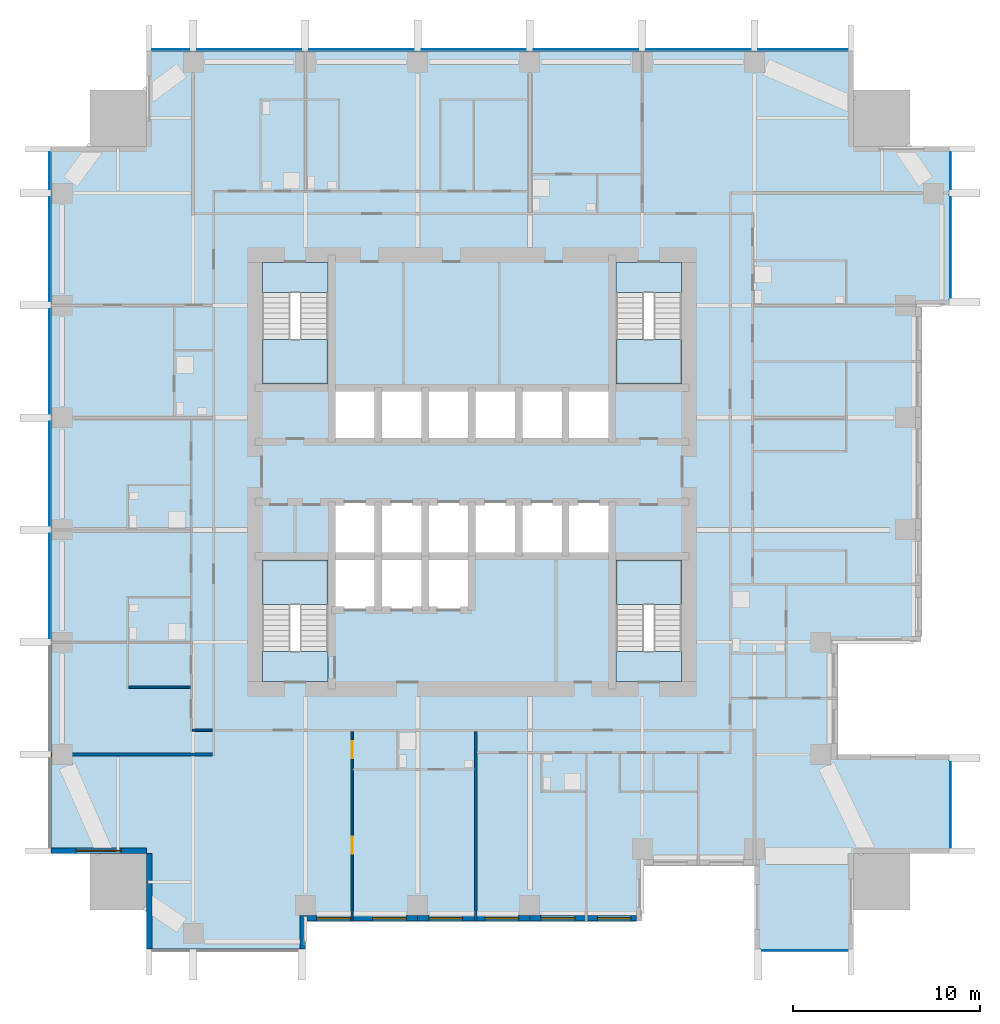
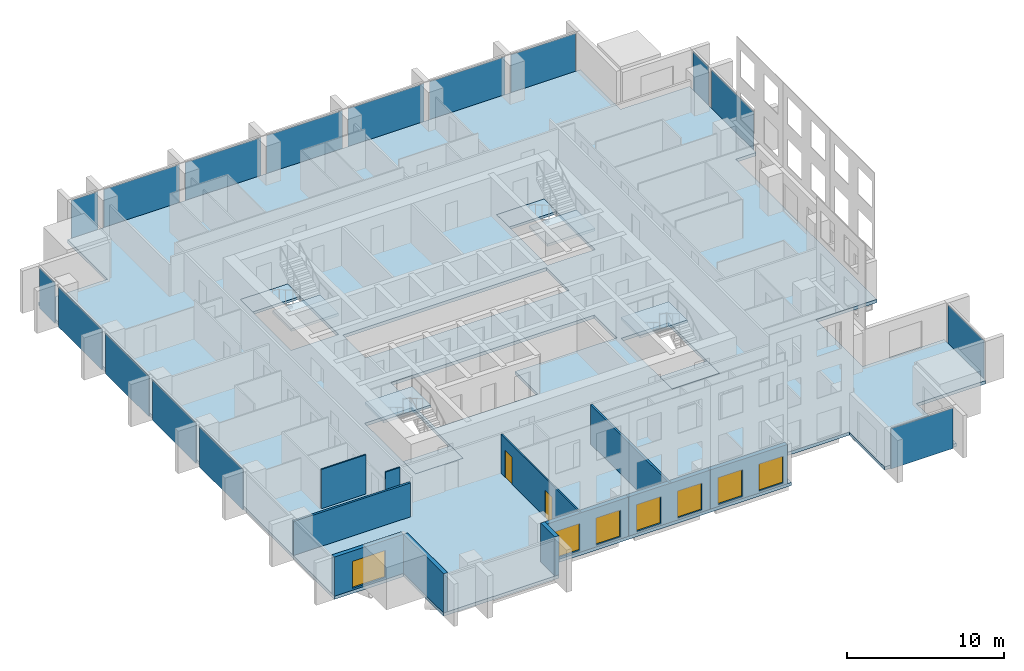
# One storey, part 3 of 13: 16 plates, 11 walls, 9 slabs, 7 windows, 2 doors, 9 openings, 9 elements without a shape of their own.
"""IFC4 building model written with IfcOpenShell, lengths in metres."""

from ifc_helpers import new_model, si_unit, direction, frame, frame_2d, origin, origin_2d, place, context, subcontext, project, spatial, polyline, rectangle, outline, extrude, material, layer, layer_set, type_object, element, fill, aggregate, save


model = new_model("IFC4")

# Units and contexts
model_context = context("Model", 3, precision=1e-05, world=origin(), true_north=direction((0.0, 1.0)))
body_context = subcontext(model_context, "Body", "Model", "MODEL_VIEW")
ifc_project = project(units=[si_unit("LENGTHUNIT", "METRE"), si_unit("AREAUNIT", "SQUARE_METRE"), si_unit("VOLUMEUNIT", "CUBIC_METRE"), si_unit("PLANEANGLEUNIT", "RADIAN"), si_unit("MASSUNIT", "GRAM", prefix="KILO")], contexts=[model_context])

# Site, building, storey
site_placement = place(None, origin())
site = spatial("IfcSite", under=ifc_project, at=site_placement, CompositionType="ELEMENT")
building_placement = place(site_placement, origin())
building = spatial("IfcBuilding", under=site, at=building_placement, Name="Amberfall Residences", CompositionType="ELEMENT")
storey_placement = place(building_placement, frame((0.0, 0.0, 78.699951171875)))
storey = spatial("IfcBuildingStorey", under=building, at=storey_placement, Name="L20", CompositionType="ELEMENT", Elevation=78.699951171875)

# Curtain wall, plate
ifc_material_1 = material(Name="Bronze anodised aluminium and glass", Category="aluminium")
curtain_wall_type = type_object("IfcCurtainWallType", Name="Curtain wall CW1 tower unit", PredefinedType="USERDEFINED", material=ifc_material_1)
curtain_wall_1_placement = place(storey_placement, origin())
curtain_wall_1 = element("IfcCurtainWall", 1, at=curtain_wall_1_placement, inside=storey, type_object=curtain_wall_type, Name="Curtain wall L20 S S9", ObjectType="UNITISED CURTAIN WALL", PredefinedType="USERDEFINED")
ifc_material_2 = material(Name="Tinted double glazed unit", Category="glass")
ifc_layer_1 = layer(ifc_material_2, 0.035888671875)
ifc_layer_set_1 = layer_set([ifc_layer_1], Name="CW1 panel 36 glazing")
plate_type = type_object("IfcPlateType", Name="CW1 panel 36 glazing", PredefinedType="CURTAIN_PANEL", material=ifc_layer_set_1)
plate_1_placement = place(storey_placement, frame((92.300048828125, 19.925048828125, -0.25), z_axis=(0.0, 0.0, 1.0), x_axis=(1.0, 0.0, 0.0)))
plate_1 = element("IfcPlate", 2, at=plate_1_placement, type_object=plate_type, Name="CW1 panel 1.1", PredefinedType="CURTAIN_PANEL", context=body_context, shape_type="SweptSolid", body=[
    extrude(rectangle(XDim=4.575927734375, YDim=0.035888671875, at=origin_2d()), origin(), (0.0, 0.0, 1.0), 3.14990234375),
])
aggregate(curtain_wall_1, [plate_1])

curtain_wall_2_placement = place(storey_placement, origin())
curtain_wall_2 = element("IfcCurtainWall", 3, at=curtain_wall_2_placement, inside=storey, type_object=curtain_wall_type, Name="Curtain wall L20 E E1", ObjectType="UNITISED CURTAIN WALL", PredefinedType="USERDEFINED")
plate_2_placement = place(storey_placement, frame((100.074951171875, 27.699951171875, -0.25), z_axis=(0.0, 0.0, 1.0), x_axis=(0.0, 1.0, 0.0)))
plate_2 = element("IfcPlate", 4, at=plate_2_placement, type_object=plate_type, Name="CW1 panel 1.1", PredefinedType="CURTAIN_PANEL", context=body_context, shape_type="SweptSolid", body=[
    extrude(rectangle(XDim=4.575927734375, YDim=0.035888671875, at=origin_2d()), origin(), (0.0, 0.0, 1.0), 3.14990234375),
])
aggregate(curtain_wall_2, [plate_2])

# Curtain wall, plates
curtain_wall_3_placement = place(storey_placement, origin())
curtain_wall_3 = element("IfcCurtainWall", 5, at=curtain_wall_3_placement, inside=storey, type_object=curtain_wall_type, Name="Curtain wall L20 E E9", ObjectType="UNITISED CURTAIN WALL", PredefinedType="USERDEFINED")
plate_3_placement = place(storey_placement, frame((100.074951171875, 57.5, -0.25), z_axis=(0.0, 0.0, 1.0), x_axis=(0.0, 1.0, 0.0)))
plate_3 = element("IfcPlate", 6, at=plate_3_placement, type_object=plate_type, Name="CW1 panel 1.1", PredefinedType="CURTAIN_PANEL", context=body_context, shape_type="SweptSolid", body=[
    extrude(rectangle(XDim=5.3759765625, YDim=0.035888671875, at=origin_2d()), origin(), (0.0, 0.0, 1.0), 3.14990234375),
])
plate_4_placement = place(storey_placement, frame((100.074951171875, 61.60009765625, -0.25), z_axis=(0.0, 0.0, 1.0), x_axis=(0.0, 1.0, 0.0)))
plate_4 = element("IfcPlate", 7, at=plate_4_placement, type_object=plate_type, Name="CW1 panel 2.1", PredefinedType="CURTAIN_PANEL", context=body_context, shape_type="SweptSolid", body=[
    extrude(rectangle(XDim=1.97607421875, YDim=0.035888671875, at=origin_2d()), origin(), (0.0, 0.0, 1.0), 3.14990234375),
])
aggregate(curtain_wall_3, [plate_3, plate_4])

curtain_wall_4_placement = place(storey_placement, origin())
curtain_wall_4 = element("IfcCurtainWall", 8, at=curtain_wall_4_placement, inside=storey, type_object=curtain_wall_type, Name="Curtain wall L20 N N1", ObjectType="UNITISED CURTAIN WALL", PredefinedType="USERDEFINED")
plate_5_placement = place(storey_placement, frame((92.199951171875, 68.074951171875, -0.25), z_axis=(0.0, 0.0, 1.0), x_axis=(-1.0, 0.0, 0.0)))
plate_5 = element("IfcPlate", 9, at=plate_5_placement, type_object=plate_type, Name="CW1 panel 1.1", PredefinedType="CURTAIN_PANEL", context=body_context, shape_type="SweptSolid", body=[
    extrude(rectangle(XDim=4.77587890625, YDim=0.035888671875, at=origin_2d()), origin(), (0.0, 0.0, 1.0), 3.14990234375),
])
plate_6_placement = place(storey_placement, frame((86.60009765625, 68.074951171875, -0.25), z_axis=(0.0, 0.0, 1.0), x_axis=(-1.0, 0.0, 0.0)))
plate_6 = element("IfcPlate", 10, at=plate_6_placement, type_object=plate_type, Name="CW1 panel 2.1", PredefinedType="CURTAIN_PANEL", context=body_context, shape_type="SweptSolid", body=[
    extrude(rectangle(XDim=5.575927734375, YDim=0.035888671875, at=origin_2d()), origin(), (0.0, 0.0, 1.0), 3.14990234375),
])
plate_7_placement = place(storey_placement, frame((80.60009765625, 68.074951171875, -0.25), z_axis=(0.0, 0.0, 1.0), x_axis=(-1.0, 0.0, 0.0)))
plate_7 = element("IfcPlate", 11, at=plate_7_placement, type_object=plate_type, Name="CW1 panel 3.1", PredefinedType="CURTAIN_PANEL", context=body_context, shape_type="SweptSolid", body=[
    extrude(rectangle(XDim=5.575927734375, YDim=0.035888671875, at=origin_2d()), origin(), (0.0, 0.0, 1.0), 3.14990234375),
])
plate_8_placement = place(storey_placement, frame((74.60009765625, 68.074951171875, -0.25), z_axis=(0.0, 0.0, 1.0), x_axis=(-1.0, 0.0, 0.0)))
plate_8 = element("IfcPlate", 12, at=plate_8_placement, type_object=plate_type, Name="CW1 panel 4.1", PredefinedType="CURTAIN_PANEL", context=body_context, shape_type="SweptSolid", body=[
    extrude(rectangle(XDim=5.575927734375, YDim=0.035888671875, at=origin_2d()), origin(), (0.0, 0.0, 1.0), 3.14990234375),
])
plate_9_placement = place(storey_placement, frame((68.60009765625, 68.074951171875, -0.25), z_axis=(0.0, 0.0, 1.0), x_axis=(-1.0, 0.0, 0.0)))
plate_9 = element("IfcPlate", 13, at=plate_9_placement, type_object=plate_type, Name="CW1 panel 5.1", PredefinedType="CURTAIN_PANEL", context=body_context, shape_type="SweptSolid", body=[
    extrude(rectangle(XDim=5.575927734375, YDim=0.035888671875, at=origin_2d()), origin(), (0.0, 0.0, 1.0), 3.14990234375),
])
plate_10_placement = place(storey_placement, frame((62.60009765625, 68.074951171875, -0.25), z_axis=(0.0, 0.0, 1.0), x_axis=(-1.0, 0.0, 0.0)))
plate_10 = element("IfcPlate", 14, at=plate_10_placement, type_object=plate_type, Name="CW1 panel 6.1", PredefinedType="CURTAIN_PANEL", context=body_context, shape_type="SweptSolid", body=[
    extrude(rectangle(XDim=5.575927734375, YDim=0.035888671875, at=origin_2d()), origin(), (0.0, 0.0, 1.0), 3.14990234375),
])
plate_11_placement = place(storey_placement, frame((58.39990234375, 68.074951171875, -0.25), z_axis=(0.0, 0.0, 1.0), x_axis=(-1.0, 0.0, 0.0)))
plate_11 = element("IfcPlate", 15, at=plate_11_placement, type_object=plate_type, Name="CW1 panel 7.1", PredefinedType="CURTAIN_PANEL", context=body_context, shape_type="SweptSolid", body=[
    extrude(rectangle(XDim=1.97607421875, YDim=0.035888671875, at=origin_2d()), origin(), (0.0, 0.0, 1.0), 3.14990234375),
])
aggregate(curtain_wall_4, [plate_5, plate_6, plate_7, plate_8, plate_9, plate_10, plate_11])

curtain_wall_5_placement = place(storey_placement, origin())
curtain_wall_5 = element("IfcCurtainWall", 16, at=curtain_wall_5_placement, inside=storey, type_object=curtain_wall_type, Name="Curtain wall L20 W W1", ObjectType="UNITISED CURTAIN WALL", PredefinedType="USERDEFINED")
plate_12_placement = place(storey_placement, frame((51.925048828125, 61.60009765625, -0.25), z_axis=(0.0, 0.0, 1.0), x_axis=(0.0, -1.0, 0.0)))
plate_12 = element("IfcPlate", 17, at=plate_12_placement, type_object=plate_type, Name="CW1 panel 1.1", PredefinedType="CURTAIN_PANEL", context=body_context, shape_type="SweptSolid", body=[
    extrude(rectangle(XDim=1.97607421875, YDim=0.035888671875, at=origin_2d()), origin(), (0.0, 0.0, 1.0), 3.14990234375),
])
plate_13_placement = place(storey_placement, frame((51.925048828125, 57.39990234375, -0.25), z_axis=(0.0, 0.0, 1.0), x_axis=(0.0, -1.0, 0.0)))
plate_13 = element("IfcPlate", 18, at=plate_13_placement, type_object=plate_type, Name="CW1 panel 2.1", PredefinedType="CURTAIN_PANEL", context=body_context, shape_type="SweptSolid", body=[
    extrude(rectangle(XDim=5.575927734375, YDim=0.035888671875, at=origin_2d()), origin(), (0.0, 0.0, 1.0), 3.14990234375),
])
plate_14_placement = place(storey_placement, frame((51.925048828125, 51.39990234375, -0.25), z_axis=(0.0, 0.0, 1.0), x_axis=(0.0, -1.0, 0.0)))
plate_14 = element("IfcPlate", 19, at=plate_14_placement, type_object=plate_type, Name="CW1 panel 3.1", PredefinedType="CURTAIN_PANEL", context=body_context, shape_type="SweptSolid", body=[
    extrude(rectangle(XDim=5.575927734375, YDim=0.035888671875, at=origin_2d()), origin(), (0.0, 0.0, 1.0), 3.14990234375),
])
plate_15_placement = place(storey_placement, frame((51.925048828125, 45.39990234375, -0.25), z_axis=(0.0, 0.0, 1.0), x_axis=(0.0, -1.0, 0.0)))
plate_15 = element("IfcPlate", 20, at=plate_15_placement, type_object=plate_type, Name="CW1 panel 4.1", PredefinedType="CURTAIN_PANEL", context=body_context, shape_type="SweptSolid", body=[
    extrude(rectangle(XDim=5.575927734375, YDim=0.035888671875, at=origin_2d()), origin(), (0.0, 0.0, 1.0), 3.14990234375),
])
plate_16_placement = place(storey_placement, frame((51.925048828125, 39.39990234375, -0.25), z_axis=(0.0, 0.0, 1.0), x_axis=(0.0, -1.0, 0.0)))
plate_16 = element("IfcPlate", 21, at=plate_16_placement, type_object=plate_type, Name="CW1 panel 5.1", PredefinedType="CURTAIN_PANEL", context=body_context, shape_type="SweptSolid", body=[
    extrude(rectangle(XDim=5.575927734375, YDim=0.035888671875, at=origin_2d()), origin(), (0.0, 0.0, 1.0), 3.14990234375),
])
aggregate(curtain_wall_5, [plate_12, plate_13, plate_14, plate_15, plate_16])

# Slab
ifc_material_3 = material(Name="Concrete C70", Category="concrete")
ifc_layer_2 = layer(ifc_material_3, 0.25)
ifc_layer_set_2 = layer_set([ifc_layer_2], Name="Floor slab 250 C70")
slab_type_1 = type_object("IfcSlabType", Name="Floor slab 250 C70", PredefinedType="FLOOR", material=ifc_layer_set_2)
slab_1_placement = place(storey_placement, frame((0.0, 0.0, -0.25)))
element("IfcSlab", 22, at=slab_1_placement, inside=storey, type_object=slab_type_1, Name="Floor slab S7 L20", PredefinedType="FLOOR", context=body_context, shape_type="SweptSolid", body=[
    extrude(outline(polyline([(89.60009765625, 20.0), (89.60009765625, 24.5), (83.60009765625, 24.5), (83.60009765625, 21.5), (77.60009765625, 21.5), (71.60009765625, 21.5), (65.60009765625, 21.5), (65.60009765625, 20.0), (57.10009765625, 20.0), (57.10009765625, 25.10009765625), (52.0, 25.10009765625), (52.0, 62.89990234375), (57.10009765625, 62.89990234375), (57.10009765625, 68.0), (94.89990234375, 68.0), (94.89990234375, 62.89990234375), (100.0, 62.89990234375), (100.0, 54.39990234375), (98.5, 54.39990234375), (98.5, 48.39990234375), (98.5, 42.39990234375), (98.5, 36.39990234375), (94.0, 36.39990234375), (94.0, 30.39990234375), (100.0, 30.39990234375), (100.0, 25.10009765625), (94.89990234375, 25.10009765625), (94.89990234375, 20.0), (89.60009765625, 20.0)]), holes=[polyline([(85.699951171875, 34.300048828125), (85.699951171875, 40.800048828125), (82.199951171875, 40.800048828125), (82.199951171875, 34.300048828125), (85.699951171875, 34.300048828125)]), polyline([(82.199951171875, 50.199951171875), (85.699951171875, 50.199951171875), (85.699951171875, 56.699951171875), (82.199951171875, 56.699951171875), (82.199951171875, 50.199951171875)]), polyline([(69.5, 50.0), (67.0, 50.0), (67.0, 47.10009765625), (69.5, 47.10009765625), (72.0, 47.10009765625), (74.5, 47.10009765625), (77.0, 47.10009765625), (79.5, 47.10009765625), (82.0, 47.10009765625), (82.0, 50.0), (79.5, 50.0), (77.0, 50.0), (74.5, 50.0), (72.0, 50.0), (69.5, 50.0)]), polyline([(74.5, 41.0), (77.0, 41.0), (79.5, 41.0), (82.0, 41.0), (82.0, 43.89990234375), (79.5, 43.89990234375), (77.0, 43.89990234375), (74.5, 43.89990234375), (72.0, 43.89990234375), (69.5, 43.89990234375), (67.0, 43.89990234375), (67.0, 41.0), (67.0, 38.10009765625), (69.5, 38.10009765625), (72.0, 38.10009765625), (74.5, 38.10009765625), (74.5, 41.0)]), polyline([(66.800048828125, 34.300048828125), (66.800048828125, 40.800048828125), (63.300048828125, 40.800048828125), (63.300048828125, 34.300048828125), (66.800048828125, 34.300048828125)]), polyline([(66.800048828125, 50.199951171875), (66.800048828125, 56.699951171875), (63.300048828125, 56.699951171875), (63.300048828125, 50.199951171875), (66.800048828125, 50.199951171875)])]), origin(), (0.0, 0.0, 1.0), 0.25),
])

# Stair, slabs
ifc_material_4 = material(Name="Concrete C40", Category="concrete")
stair_type = type_object("IfcStairType", Name="Exit stair 20 risers 165.0 mm", PredefinedType="HALF_TURN_STAIR", material=ifc_material_4)
stair_1_placement = place(storey_placement, origin())
stair_1 = element("IfcStair", 23, at=stair_1_placement, inside=storey, type_object=stair_type, Name="L20 Exit stair 1", PredefinedType="HALF_TURN_STAIR")
ifc_layer_3 = layer(ifc_material_4, 0.199951171875)
ifc_layer_set_3 = layer_set([ifc_layer_3], Name="Stair landing 200")
slab_type_2 = type_object("IfcSlabType", Name="Stair landing 200", PredefinedType="LANDING", material=ifc_layer_set_3)
slab_2_placement = place(storey_placement, frame((0.0, 0.0, 1.449951171875)))
slab_2 = element("IfcSlab", 24, at=slab_2_placement, type_object=slab_type_2, Name="ST3 landing 1", PredefinedType="LANDING", context=body_context, shape_type="SweptSolid", body=[
    extrude(outline(polyline([(66.800048828125, 38.419921875), (66.800048828125, 40.800048828125), (63.300048828125, 40.800048828125), (63.300048828125, 38.419921875), (66.800048828125, 38.419921875)])), origin(), (0.0, 0.0, 1.0), 0.2001953125),
])
slab_3_placement = place(storey_placement, frame((0.0, 0.0, -0.199951171875)))
slab_3 = element("IfcSlab", 25, at=slab_3_placement, type_object=slab_type_2, Name="ST3 landing 2", PredefinedType="LANDING", context=body_context, shape_type="SweptSolid", body=[
    extrude(outline(polyline([(66.800048828125, 34.300048828125), (66.800048828125, 35.89990234375), (63.300048828125, 35.89990234375), (63.300048828125, 34.300048828125), (66.800048828125, 34.300048828125)])), origin(), (0.0, 0.0, 1.0), 0.199951171875),
])
aggregate(stair_1, [slab_2, slab_3])

stair_2_placement = place(storey_placement, origin())
stair_2 = element("IfcStair", 26, at=stair_2_placement, inside=storey, type_object=stair_type, Name="L20 Exit stair 2", PredefinedType="HALF_TURN_STAIR")
slab_4_placement = place(storey_placement, frame((0.0, 0.0, 1.449951171875)))
slab_4 = element("IfcSlab", 27, at=slab_4_placement, type_object=slab_type_2, Name="ST3 landing 1", PredefinedType="LANDING", context=body_context, shape_type="SweptSolid", body=[
    extrude(outline(polyline([(85.699951171875, 38.419921875), (85.699951171875, 40.800048828125), (82.199951171875, 40.800048828125), (82.199951171875, 38.419921875), (85.699951171875, 38.419921875)])), origin(), (0.0, 0.0, 1.0), 0.2001953125),
])
slab_5_placement = place(storey_placement, frame((0.0, 0.0, -0.199951171875)))
slab_5 = element("IfcSlab", 28, at=slab_5_placement, type_object=slab_type_2, Name="ST3 landing 2", PredefinedType="LANDING", context=body_context, shape_type="SweptSolid", body=[
    extrude(outline(polyline([(85.699951171875, 34.300048828125), (85.699951171875, 35.89990234375), (82.199951171875, 35.89990234375), (82.199951171875, 34.300048828125), (85.699951171875, 34.300048828125)])), origin(), (0.0, 0.0, 1.0), 0.199951171875),
])
aggregate(stair_2, [slab_4, slab_5])

stair_3_placement = place(storey_placement, origin())
stair_3 = element("IfcStair", 29, at=stair_3_placement, inside=storey, type_object=stair_type, Name="L20 Exit stair 3", PredefinedType="HALF_TURN_STAIR")
slab_6_placement = place(storey_placement, frame((0.0, 0.0, 1.449951171875)))
slab_6 = element("IfcSlab", 30, at=slab_6_placement, type_object=slab_type_2, Name="ST3 landing 1", PredefinedType="LANDING", context=body_context, shape_type="SweptSolid", body=[
    extrude(outline(polyline([(82.199951171875, 52.580078125), (82.199951171875, 50.199951171875), (85.699951171875, 50.199951171875), (85.699951171875, 52.580078125), (82.199951171875, 52.580078125)])), origin(), (0.0, 0.0, 1.0), 0.2001953125),
])
slab_7_placement = place(storey_placement, frame((0.0, 0.0, -0.199951171875)))
slab_7 = element("IfcSlab", 31, at=slab_7_placement, type_object=slab_type_2, Name="ST3 landing 2", PredefinedType="LANDING", context=body_context, shape_type="SweptSolid", body=[
    extrude(outline(polyline([(82.199951171875, 56.699951171875), (82.199951171875, 55.10009765625), (85.699951171875, 55.10009765625), (85.699951171875, 56.699951171875), (82.199951171875, 56.699951171875)])), origin(), (0.0, 0.0, 1.0), 0.199951171875),
])
aggregate(stair_3, [slab_6, slab_7])

stair_4_placement = place(storey_placement, origin())
stair_4 = element("IfcStair", 32, at=stair_4_placement, inside=storey, type_object=stair_type, Name="L20 Exit stair 4", PredefinedType="HALF_TURN_STAIR")
slab_8_placement = place(storey_placement, frame((0.0, 0.0, 1.449951171875)))
slab_8 = element("IfcSlab", 33, at=slab_8_placement, type_object=slab_type_2, Name="ST3 landing 1", PredefinedType="LANDING", context=body_context, shape_type="SweptSolid", body=[
    extrude(outline(polyline([(63.300048828125, 52.580078125), (63.300048828125, 50.199951171875), (66.800048828125, 50.199951171875), (66.800048828125, 52.580078125), (63.300048828125, 52.580078125)])), origin(), (0.0, 0.0, 1.0), 0.2001953125),
])
slab_9_placement = place(storey_placement, frame((0.0, 0.0, -0.199951171875)))
slab_9 = element("IfcSlab", 34, at=slab_9_placement, type_object=slab_type_2, Name="ST3 landing 2", PredefinedType="LANDING", context=body_context, shape_type="SweptSolid", body=[
    extrude(outline(polyline([(63.300048828125, 56.699951171875), (63.300048828125, 55.10009765625), (66.800048828125, 55.10009765625), (66.800048828125, 56.699951171875), (63.300048828125, 56.699951171875)])), origin(), (0.0, 0.0, 1.0), 0.199951171875),
])
aggregate(stair_4, [slab_8, slab_9])

# Wall
ifc_material_5 = material(Name="Pale stone cladding on insulated backing", Category="masonry")
ifc_layer_4 = layer(ifc_material_5, 0.300048828125)
ifc_layer_set_4 = layer_set([ifc_layer_4], Name="Bronze clad wall 300")
wall_type_1 = type_object("IfcWallType", Name="Bronze clad wall 300", PredefinedType="SOLIDWALL", material=ifc_layer_set_4)
wall_1_placement = place(storey_placement, frame((65.449951171875, 20.0, 0.0), z_axis=(0.0, 0.0, 1.0), x_axis=(0.0, 1.0, 0.0)))
element("IfcWall", 35, at=wall_1_placement, inside=storey, type_object=wall_type_1, Name="External wall L20 S", PredefinedType="SOLIDWALL", context=body_context, shape_type="SweptSolid", body=[
    extrude(rectangle(XDim=1.800048828125, YDim=0.300048828125, at=frame_2d((0.89990234375, 0.0))), origin(), (0.0, 0.0, 1.0), 3.050048828125),
])

# Wall, opening, window
wall_2_placement = place(storey_placement, frame((52.0, 25.25, 0.0), z_axis=(0.0, 0.0, 1.0), x_axis=(1.0, 0.0, 0.0)))
wall_2 = element("IfcWall", 36, at=wall_2_placement, inside=storey, type_object=wall_type_1, Name="External wall L20 SW", PredefinedType="SOLIDWALL", context=body_context, shape_type="SweptSolid", body=[
    extrude(rectangle(XDim=5.10009765625, YDim=0.300048828125, at=frame_2d((2.550048828125, 0.0))), origin(), (0.0, 0.0, 1.0), 3.050048828125),
])
opening_1_placement = place(wall_2_placement, frame((1.35009765625, 0.0, 0.14990234375)))
opening_1 = element("IfcOpeningElement", 37, at=opening_1_placement, cuts=wall_2, Name="Opening WN5", PredefinedType="OPENING", context=body_context, shape_type="SweptSolid", body=[
    extrude(rectangle(XDim=2.39990234375, YDim=2.10009765625, at=frame_2d((1.199951171875, 1.050048828125))), frame((0.0, 0.159912109375, 0.0), z_axis=(0.0, -1.0, 0.0), x_axis=(1.0, 0.0, 0.0)), (0.0, 0.0, 1.0), 0.320068359375),
])
ifc_material_6 = material(Name="Bronze aluminium framed glazing", Category="aluminium")
window_type_1 = type_object("IfcWindowType", Name="Glazed opening 2400 x 2100 bronze", PartitioningType="DOUBLE_PANEL_VERTICAL", PredefinedType="WINDOW", material=ifc_material_6)
window_1_placement = place(opening_1_placement, origin())
window_1 = element("IfcWindow", 38, at=window_1_placement, inside=storey, type_object=window_type_1, Name="Window L20 SW", OverallHeight=2.10009765625, OverallWidth=2.39990234375, PartitioningType="DOUBLE_PANEL_VERTICAL", PredefinedType="WINDOW", context=body_context, shape_type="SweptSolid", body=[
    extrude(rectangle(XDim=2.39990234375, YDim=2.10009765625, at=frame_2d((1.199951171875, 1.050048828125))), frame((0.0, 0.030029296875, 0.0), z_axis=(0.0, -1.0, 0.0), x_axis=(1.0, 0.0, 0.0)), (0.0, 0.0, 1.0), 0.06005859375),
])
fill(opening_1, window_1)

# Wall
wall_3_placement = place(storey_placement, frame((57.25, 25.10009765625, 0.0), z_axis=(0.0, 0.0, 1.0), x_axis=(0.0, -1.0, 0.0)))
element("IfcWall", 39, at=wall_3_placement, inside=storey, type_object=wall_type_1, Name="External wall L20 SW", PredefinedType="SOLIDWALL", context=body_context, shape_type="SweptSolid", body=[
    extrude(rectangle(XDim=5.10009765625, YDim=0.300048828125, at=frame_2d((2.550048828125, 0.0))), origin(), (0.0, 0.0, 1.0), 3.050048828125),
])

# Wall, openings, windows
wall_4_placement = place(storey_placement, frame((65.60009765625, 21.64990234375, 0.0), z_axis=(0.0, 0.0, 1.0), x_axis=(1.0, 0.0, 0.0)))
wall_4 = element("IfcWall", 40, at=wall_4_placement, inside=storey, type_object=wall_type_1, Name="Stone wall L20 S", PredefinedType="SOLIDWALL", context=body_context, shape_type="SweptSolid", body=[
    extrude(rectangle(XDim=6.0, YDim=0.300048828125, at=frame_2d((3.0, 0.0))), origin(), (0.0, 0.0, 1.0), 3.050048828125),
])
opening_2_placement = place(wall_4_placement, frame((0.60009765625, 0.0, 0.14990234375)))
opening_2 = element("IfcOpeningElement", 41, at=opening_2_placement, cuts=wall_4, Name="Opening WN6", PredefinedType="OPENING", context=body_context, shape_type="SweptSolid", body=[
    extrude(rectangle(XDim=1.800048828125, YDim=2.10009765625, at=frame_2d((0.89990234375, 1.050048828125))), frame((0.0, 0.159912109375, 0.0), z_axis=(0.0, -1.0, 0.0), x_axis=(1.0, 0.0, 0.0)), (0.0, 0.0, 1.0), 0.320068359375),
])
opening_3_placement = place(wall_4_placement, frame((3.60009765625, 0.0, 0.14990234375)))
opening_3 = element("IfcOpeningElement", 42, at=opening_3_placement, cuts=wall_4, Name="Opening WN6", PredefinedType="OPENING", context=body_context, shape_type="SweptSolid", body=[
    extrude(rectangle(XDim=1.800048828125, YDim=2.10009765625, at=frame_2d((0.89990234375, 1.050048828125))), frame((0.0, 0.159912109375, 0.0), z_axis=(0.0, -1.0, 0.0), x_axis=(1.0, 0.0, 0.0)), (0.0, 0.0, 1.0), 0.320068359375),
])
window_type_2 = type_object("IfcWindowType", Name="Glazed opening 1800 x 2100 bronze", PartitioningType="DOUBLE_PANEL_VERTICAL", PredefinedType="WINDOW", material=ifc_material_6)
window_2_placement = place(opening_2_placement, origin())
window_2 = element("IfcWindow", 43, at=window_2_placement, inside=storey, type_object=window_type_2, Name="Window L20 S", OverallHeight=2.10009765625, OverallWidth=1.800048828125, PartitioningType="DOUBLE_PANEL_VERTICAL", PredefinedType="WINDOW", context=body_context, shape_type="SweptSolid", body=[
    extrude(rectangle(XDim=1.800048828125, YDim=2.10009765625, at=frame_2d((0.89990234375, 1.050048828125))), frame((0.0, 0.030029296875, 0.0), z_axis=(0.0, -1.0, 0.0), x_axis=(1.0, 0.0, 0.0)), (0.0, 0.0, 1.0), 0.06005859375),
])
fill(opening_2, window_2)
window_3_placement = place(opening_3_placement, origin())
window_3 = element("IfcWindow", 44, at=window_3_placement, inside=storey, type_object=window_type_2, Name="Window L20 S", OverallHeight=2.10009765625, OverallWidth=1.800048828125, PartitioningType="DOUBLE_PANEL_VERTICAL", PredefinedType="WINDOW", context=body_context, shape_type="SweptSolid", body=[
    extrude(rectangle(XDim=1.800048828125, YDim=2.10009765625, at=frame_2d((0.89990234375, 1.050048828125))), frame((0.0, 0.030029296875, 0.0), z_axis=(0.0, -1.0, 0.0), x_axis=(1.0, 0.0, 0.0)), (0.0, 0.0, 1.0), 0.06005859375),
])
fill(opening_3, window_3)

wall_5_placement = place(storey_placement, frame((71.60009765625, 21.64990234375, 0.0), z_axis=(0.0, 0.0, 1.0), x_axis=(1.0, 0.0, 0.0)))
wall_5 = element("IfcWall", 45, at=wall_5_placement, inside=storey, type_object=wall_type_1, Name="Stone wall L20 S", PredefinedType="SOLIDWALL", context=body_context, shape_type="SweptSolid", body=[
    extrude(rectangle(XDim=6.0, YDim=0.300048828125, at=frame_2d((3.0, 0.0))), origin(), (0.0, 0.0, 1.0), 3.050048828125),
])
opening_4_placement = place(wall_5_placement, frame((0.60009765625, 0.0, 0.14990234375)))
opening_4 = element("IfcOpeningElement", 46, at=opening_4_placement, cuts=wall_5, Name="Opening WN6", PredefinedType="OPENING", context=body_context, shape_type="SweptSolid", body=[
    extrude(rectangle(XDim=1.800048828125, YDim=2.10009765625, at=frame_2d((0.89990234375, 1.050048828125))), frame((0.0, 0.159912109375, 0.0), z_axis=(0.0, -1.0, 0.0), x_axis=(1.0, 0.0, 0.0)), (0.0, 0.0, 1.0), 0.320068359375),
])
opening_5_placement = place(wall_5_placement, frame((3.60009765625, 0.0, 0.14990234375)))
opening_5 = element("IfcOpeningElement", 47, at=opening_5_placement, cuts=wall_5, Name="Opening WN6", PredefinedType="OPENING", context=body_context, shape_type="SweptSolid", body=[
    extrude(rectangle(XDim=1.800048828125, YDim=2.10009765625, at=frame_2d((0.89990234375, 1.050048828125))), frame((0.0, 0.159912109375, 0.0), z_axis=(0.0, -1.0, 0.0), x_axis=(1.0, 0.0, 0.0)), (0.0, 0.0, 1.0), 0.320068359375),
])
window_4_placement = place(opening_4_placement, origin())
window_4 = element("IfcWindow", 48, at=window_4_placement, inside=storey, type_object=window_type_2, Name="Window L20 S", OverallHeight=2.10009765625, OverallWidth=1.800048828125, PartitioningType="DOUBLE_PANEL_VERTICAL", PredefinedType="WINDOW", context=body_context, shape_type="SweptSolid", body=[
    extrude(rectangle(XDim=1.800048828125, YDim=2.10009765625, at=frame_2d((0.89990234375, 1.050048828125))), frame((0.0, 0.030029296875, 0.0), z_axis=(0.0, -1.0, 0.0), x_axis=(1.0, 0.0, 0.0)), (0.0, 0.0, 1.0), 0.06005859375),
])
fill(opening_4, window_4)
window_5_placement = place(opening_5_placement, origin())
window_5 = element("IfcWindow", 49, at=window_5_placement, inside=storey, type_object=window_type_2, Name="Window L20 S", OverallHeight=2.10009765625, OverallWidth=1.800048828125, PartitioningType="DOUBLE_PANEL_VERTICAL", PredefinedType="WINDOW", context=body_context, shape_type="SweptSolid", body=[
    extrude(rectangle(XDim=1.800048828125, YDim=2.10009765625, at=frame_2d((0.89990234375, 1.050048828125))), frame((0.0, 0.030029296875, 0.0), z_axis=(0.0, -1.0, 0.0), x_axis=(1.0, 0.0, 0.0)), (0.0, 0.0, 1.0), 0.06005859375),
])
fill(opening_5, window_5)

wall_6_placement = place(storey_placement, frame((77.60009765625, 21.64990234375, 0.0), z_axis=(0.0, 0.0, 1.0), x_axis=(1.0, 0.0, 0.0)))
wall_6 = element("IfcWall", 50, at=wall_6_placement, inside=storey, type_object=wall_type_1, Name="Stone wall L20 S", PredefinedType="SOLIDWALL", context=body_context, shape_type="SweptSolid", body=[
    extrude(rectangle(XDim=5.699951171875, YDim=0.300048828125, at=frame_2d((2.85009765625, 0.0))), origin(), (0.0, 0.0, 1.0), 3.050048828125),
])
opening_6_placement = place(wall_6_placement, frame((0.60009765625, 0.0, 0.14990234375)))
opening_6 = element("IfcOpeningElement", 51, at=opening_6_placement, cuts=wall_6, Name="Opening WN6", PredefinedType="OPENING", context=body_context, shape_type="SweptSolid", body=[
    extrude(rectangle(XDim=1.800048828125, YDim=2.10009765625, at=frame_2d((0.89990234375, 1.050048828125))), frame((0.0, 0.159912109375, 0.0), z_axis=(0.0, -1.0, 0.0), x_axis=(1.0, 0.0, 0.0)), (0.0, 0.0, 1.0), 0.320068359375),
])
opening_7_placement = place(wall_6_placement, frame((3.60009765625, 0.0, 0.14990234375)))
opening_7 = element("IfcOpeningElement", 52, at=opening_7_placement, cuts=wall_6, Name="Opening WN6", PredefinedType="OPENING", context=body_context, shape_type="SweptSolid", body=[
    extrude(rectangle(XDim=1.800048828125, YDim=2.10009765625, at=frame_2d((0.89990234375, 1.050048828125))), frame((0.0, 0.159912109375, 0.0), z_axis=(0.0, -1.0, 0.0), x_axis=(1.0, 0.0, 0.0)), (0.0, 0.0, 1.0), 0.320068359375),
])
window_6_placement = place(opening_6_placement, origin())
window_6 = element("IfcWindow", 53, at=window_6_placement, inside=storey, type_object=window_type_2, Name="Window L20 S", OverallHeight=2.10009765625, OverallWidth=1.800048828125, PartitioningType="DOUBLE_PANEL_VERTICAL", PredefinedType="WINDOW", context=body_context, shape_type="SweptSolid", body=[
    extrude(rectangle(XDim=1.800048828125, YDim=2.10009765625, at=frame_2d((0.89990234375, 1.050048828125))), frame((0.0, 0.030029296875, 0.0), z_axis=(0.0, -1.0, 0.0), x_axis=(1.0, 0.0, 0.0)), (0.0, 0.0, 1.0), 0.06005859375),
])
fill(opening_6, window_6)
window_7_placement = place(opening_7_placement, origin())
window_7 = element("IfcWindow", 54, at=window_7_placement, inside=storey, type_object=window_type_2, Name="Window L20 S", OverallHeight=2.10009765625, OverallWidth=1.800048828125, PartitioningType="DOUBLE_PANEL_VERTICAL", PredefinedType="WINDOW", context=body_context, shape_type="SweptSolid", body=[
    extrude(rectangle(XDim=1.800048828125, YDim=2.10009765625, at=frame_2d((0.89990234375, 1.050048828125))), frame((0.0, 0.030029296875, 0.0), z_axis=(0.0, -1.0, 0.0), x_axis=(1.0, 0.0, 0.0)), (0.0, 0.0, 1.0), 0.06005859375),
])
fill(opening_7, window_7)

# Wall, openings, doors
ifc_material_7 = material(Name="Gypsum board on metal stud")
ifc_layer_5 = layer(ifc_material_7, 0.10009765625)
ifc_layer_set_5 = layer_set([ifc_layer_5], Name="Flat partition 100")
wall_type_2 = type_object("IfcWallType", Name="Flat partition 100", PredefinedType="PARTITIONING", material=ifc_layer_set_5)
wall_7_placement = place(storey_placement, frame((68.10009765625, 31.625, 0.0), z_axis=(0.0, 0.0, 1.0), x_axis=(0.0, -1.0, 0.0)))
wall_7 = element("IfcWall", 55, at=wall_7_placement, inside=storey, type_object=wall_type_2, Name="Partition 009", PredefinedType="PARTITIONING", context=body_context, shape_type="SweptSolid", body=[
    extrude(rectangle(XDim=10.125, YDim=0.10009765625, at=frame_2d((5.0625, 0.0))), origin(), (0.0, 0.0, 1.0), 3.050048828125),
])
opening_8_placement = place(wall_7_placement, frame((0.52490234375, 0.0, 0.0)))
opening_8 = element("IfcOpeningElement", 56, at=opening_8_placement, cuts=wall_7, Name="Opening D41", PredefinedType="OPENING", context=body_context, shape_type="SweptSolid", body=[
    extrude(rectangle(XDim=0.89990234375, YDim=2.10009765625, at=frame_2d((0.449951171875, 1.050048828125))), frame((0.0, 0.06005859375, 0.0), z_axis=(0.0, -1.0, 0.0), x_axis=(1.0, 0.0, 0.0)), (0.0, 0.0, 1.0), 0.1201171875),
])
opening_9_placement = place(wall_7_placement, frame((5.625, 0.0, 0.0)))
opening_9 = element("IfcOpeningElement", 57, at=opening_9_placement, cuts=wall_7, Name="Opening D41", PredefinedType="OPENING", context=body_context, shape_type="SweptSolid", body=[
    extrude(rectangle(XDim=0.89990234375, YDim=2.10009765625, at=frame_2d((0.449951171875, 1.050048828125))), frame((0.0, 0.06005859375, 0.0), z_axis=(0.0, -1.0, 0.0), x_axis=(1.0, 0.0, 0.0)), (0.0, 0.0, 1.0), 0.1201171875),
])
ifc_material_8 = material(Name="Timber", Category="wood")
door_type = type_object("IfcDoorType", Name="Internal door 900 x 2100", OperationType="SINGLE_SWING_LEFT", PredefinedType="DOOR", material=ifc_material_8)
door_1_placement = place(opening_8_placement, origin())
door_1 = element("IfcDoor", 58, at=door_1_placement, inside=storey, type_object=door_type, Name="Door 2001 kitchen", OperationType="SINGLE_SWING_LEFT", OverallHeight=2.10009765625, OverallWidth=0.89990234375, PredefinedType="DOOR", context=body_context, shape_type="SweptSolid", body=[
    extrude(rectangle(XDim=0.89990234375, YDim=2.10009765625, at=frame_2d((0.449951171875, 1.050048828125))), frame((0.0, 0.02490234375, 0.0), z_axis=(0.0, -1.0, 0.0), x_axis=(1.0, 0.0, 0.0)), (0.0, 0.0, 1.0), 0.050048828125),
])
fill(opening_8, door_1)
door_2_placement = place(opening_9_placement, origin())
door_2 = element("IfcDoor", 59, at=door_2_placement, inside=storey, type_object=door_type, Name="Door 2001 bedroom1", OperationType="SINGLE_SWING_LEFT", OverallHeight=2.10009765625, OverallWidth=0.89990234375, PredefinedType="DOOR", context=body_context, shape_type="SweptSolid", body=[
    extrude(rectangle(XDim=0.89990234375, YDim=2.10009765625, at=frame_2d((0.449951171875, 1.050048828125))), frame((0.0, 0.02490234375, 0.0), z_axis=(0.0, -1.0, 0.0), x_axis=(1.0, 0.0, 0.0)), (0.0, 0.0, 1.0), 0.050048828125),
])
fill(opening_9, door_2)

# Walls
wall_8_placement = place(storey_placement, frame((56.14990234375, 34.0, 0.0), z_axis=(0.0, 0.0, 1.0), x_axis=(1.0, 0.0, 0.0)))
element("IfcWall", 60, at=wall_8_placement, inside=storey, type_object=wall_type_2, Name="Partition 044", PredefinedType="PARTITIONING", context=body_context, shape_type="SweptSolid", body=[
    extrude(rectangle(XDim=3.300048828125, YDim=0.10009765625, at=frame_2d((1.64990234375, 0.0))), origin(), (0.0, 0.0, 1.0), 3.050048828125),
])
wall_9_placement = place(storey_placement, frame((59.550048828125, 31.699951171875, 0.0), z_axis=(0.0, 0.0, 1.0), x_axis=(1.0, 0.0, 0.0)))
element("IfcWall", 61, at=wall_9_placement, inside=storey, type_object=wall_type_2, Name="Partition 046", PredefinedType="PARTITIONING", context=body_context, shape_type="SweptSolid", body=[
    extrude(rectangle(XDim=1.074951171875, YDim=0.10009765625, at=frame_2d((0.53759765625, 0.0))), origin(), (0.0, 0.0, 1.0), 3.050048828125),
])
ifc_material_9 = material(Name="Blockwork, plastered", Category="masonry")
ifc_layer_6 = layer(ifc_material_9, 0.14990234375)
ifc_layer_set_6 = layer_set([ifc_layer_6], Name="Flat separating wall 150")
wall_type_3 = type_object("IfcWallType", Name="Flat separating wall 150", PredefinedType="PARTITIONING", material=ifc_layer_set_6)
wall_10_placement = place(storey_placement, frame((74.699951171875, 21.5, 0.0), z_axis=(0.0, 0.0, 1.0), x_axis=(0.0, 1.0, 0.0)))
element("IfcWall", 62, at=wall_10_placement, inside=storey, type_object=wall_type_3, Name="Separating wall 053", PredefinedType="PARTITIONING", context=body_context, shape_type="SweptSolid", body=[
    extrude(rectangle(XDim=10.125, YDim=0.14990234375, at=frame_2d((5.0625, 0.0))), origin(), (0.0, 0.0, 1.0), 3.050048828125),
])
wall_11_placement = place(storey_placement, frame((52.0, 30.39990234375, 0.0), z_axis=(0.0, 0.0, 1.0), x_axis=(1.0, 0.0, 0.0)))
element("IfcWall", 63, at=wall_11_placement, inside=storey, type_object=wall_type_3, Name="Separating wall 062", PredefinedType="PARTITIONING", context=body_context, shape_type="SweptSolid", body=[
    extrude(rectangle(XDim=8.625, YDim=0.14990234375, at=frame_2d((4.3125, 0.0))), origin(), (0.0, 0.0, 1.0), 2.64697265625),
])

save(model, "model.ifc")
